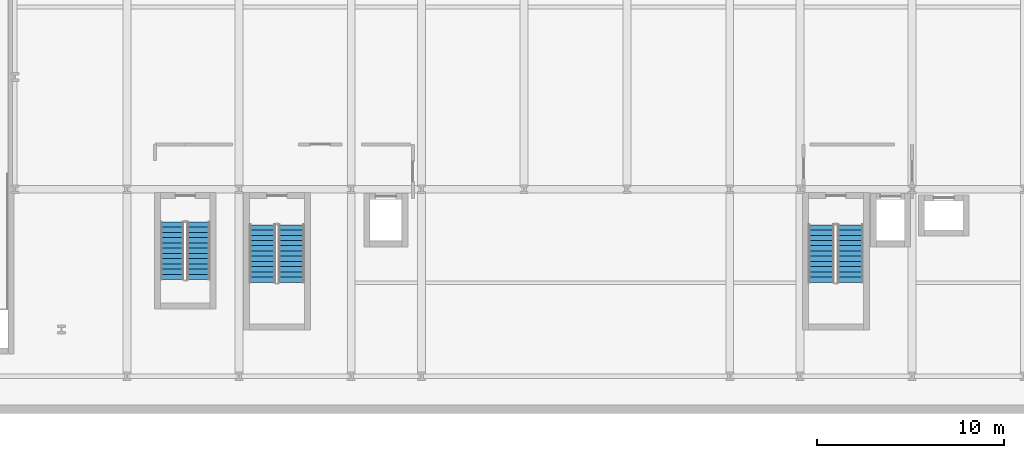
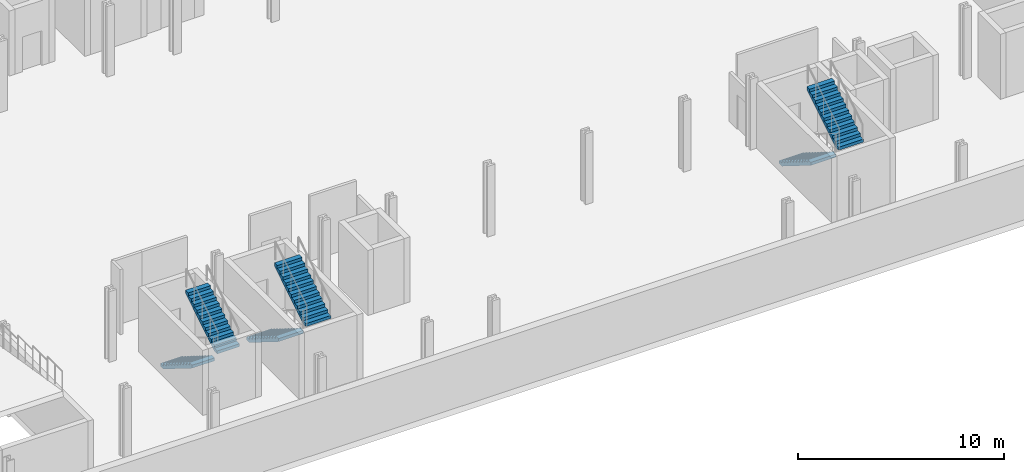
# One storey, part 9 of 12: 6 stair flights, 3 elements without a shape of their own.
"""IFC4 building model written with IfcOpenShell, lengths in metres."""

from ifc_helpers import new_model, si_unit, direction, frame, origin, place, context, subcontext, project, spatial, polyline, outline, extrude, material, layer, layer_set, type_object, element, aggregate, save


model = new_model("IFC4")

# Units and contexts
model_context = context("Model", 3, precision=1e-05, world=origin(), true_north=direction((0.0, 1.0)))
body_context = subcontext(model_context, "Body", "Model", "MODEL_VIEW")
ifc_project = project(units=[si_unit("LENGTHUNIT", "METRE"), si_unit("AREAUNIT", "SQUARE_METRE"), si_unit("VOLUMEUNIT", "CUBIC_METRE"), si_unit("PLANEANGLEUNIT", "RADIAN"), si_unit("MASSUNIT", "GRAM", prefix="KILO")], contexts=[model_context])

# Site, building, storey
site_placement = place(None, origin())
site = spatial("IfcSite", under=ifc_project, at=site_placement, CompositionType="ELEMENT")
building_placement = place(site_placement, origin())
building = spatial("IfcBuilding", under=site, at=building_placement, Name="Brevholm Reach", CompositionType="ELEMENT")
storey_placement = place(building_placement, frame((0.0, 0.0, -4.199951171875)))
storey = spatial("IfcBuildingStorey", under=building, at=storey_placement, Name="B01", CompositionType="ELEMENT", Elevation=-4.199951171875)

# Stair, stair flights
ifc_material_1 = material(Name="Precast Concrete C40/50", Category="concrete")
stair_type_1 = type_object("IfcStairType", Name="STR-ESC-1250", PredefinedType="DOUBLE_RETURN_STAIR", material=ifc_material_1)
stair_1_placement = place(storey_placement, origin())
stair_1 = element("IfcStair", 1, at=stair_1_placement, inside=storey, type_object=stair_type_1, Name="B01 ST-B1", PredefinedType="DOUBLE_RETURN_STAIR")
ifc_material_2 = material(Name="Precast Concrete C40/50", Category="concrete")
ifc_layer_1 = layer(ifc_material_2, 0.1650390625)
ifc_layer_set_1 = layer_set([ifc_layer_1], Name="Precast Concrete C40/50")
stair_flight_type_1 = type_object("IfcStairFlightType", Name="STF-PRC-165", PredefinedType="STRAIGHT", material=ifc_layer_set_1)
stair_flight_1_placement = place(storey_placement, frame((8.425048828125, 8.25, 0.0), z_axis=(0.0, 0.0, 1.0), x_axis=(0.0, -1.0, 0.0)))
stair_flight_1 = element("IfcStairFlight", 2, at=stair_flight_1_placement, type_object=stair_flight_type_1, Name="ST-B1 flight 1", NumberOfRisers=12, NumberOfTreads=11, PredefinedType="STRAIGHT", RiserHeight=0.175, TreadLength=0.28, context=body_context, shape_type="SweptSolid", body=[
    extrude(outline(polyline([(0.0, 0.0), (0.0, 0.175048828125), (0.280029296875, 0.175048828125), (0.280029296875, 0.35009765625), (0.56005859375, 0.35009765625), (0.56005859375, 0.52490234375), (0.840087890625, 0.52490234375), (0.840087890625, 0.699951171875), (1.1201171875, 0.699951171875), (1.1201171875, 0.875), (1.39990234375, 0.875), (1.39990234375, 1.050048828125), (1.679931640625, 1.050048828125), (1.679931640625, 1.22509765625), (1.9599609375, 1.22509765625), (1.9599609375, 1.39990234375), (2.239990234375, 1.39990234375), (2.239990234375, 1.574951171875), (2.52001953125, 1.574951171875), (2.52001953125, 1.75), (2.800048828125, 1.75), (2.800048828125, 1.925048828125), (3.080078125, 1.925048828125), (3.080078125, 2.10009765625), (3.080078125, 1.748291015625), (0.28271484375, 0.0), (0.0, 0.0)])), frame((0.0, 0.625, 0.0), z_axis=(0.0, -1.0, 0.0), x_axis=(1.0, 0.0, 0.0)), (0.0, 0.0, 1.0), 1.25),
])
stair_flight_2_placement = place(storey_placement, frame((9.824951171875, 5.169921875, 2.099853515625), z_axis=(0.0, 0.0, 1.0), x_axis=(0.0, 1.0, 0.0)))
stair_flight_2 = element("IfcStairFlight", 3, at=stair_flight_2_placement, type_object=stair_flight_type_1, Name="ST-B1 flight 2", NumberOfRisers=12, NumberOfTreads=11, PredefinedType="STRAIGHT", RiserHeight=0.175, TreadLength=0.28, context=body_context, shape_type="SweptSolid", body=[
    extrude(outline(polyline([(0.0, 0.0), (0.0, 0.175048828125), (0.280029296875, 0.175048828125), (0.280029296875, 0.35009765625), (0.56005859375, 0.35009765625), (0.56005859375, 0.52490234375), (0.840087890625, 0.52490234375), (0.840087890625, 0.699951171875), (1.1201171875, 0.699951171875), (1.1201171875, 0.875), (1.39990234375, 0.875), (1.39990234375, 1.050048828125), (1.679931640625, 1.050048828125), (1.679931640625, 1.22509765625), (1.9599609375, 1.22509765625), (1.9599609375, 1.39990234375), (2.239990234375, 1.39990234375), (2.239990234375, 1.574951171875), (2.52001953125, 1.574951171875), (2.52001953125, 1.75), (2.800048828125, 1.75), (2.800048828125, 1.925048828125), (3.080078125, 1.925048828125), (3.080078125, 2.10009765625), (3.080078125, 1.748291015625), (0.28271484375, 0.0), (0.0, 0.0)])), frame((0.0, 0.625, 0.0), z_axis=(0.0, -1.0, 0.0), x_axis=(1.0, 0.0, 0.0)), (0.0, 0.0, 1.0), 1.25),
])
aggregate(stair_1, [stair_flight_1, stair_flight_2])

ifc_material_3 = material(Name="Precast Concrete C40/50", Category="concrete")
stair_type_2 = type_object("IfcStairType", Name="STR-ESC-1400", PredefinedType="DOUBLE_RETURN_STAIR", material=ifc_material_3)
stair_2_placement = place(storey_placement, origin())
stair_2 = element("IfcStair", 4, at=stair_2_placement, inside=storey, type_object=stair_type_2, Name="B01 ST-1", PredefinedType="DOUBLE_RETURN_STAIR")
ifc_material_4 = material(Name="Precast Concrete C40/50", Category="concrete")
ifc_layer_2 = layer(ifc_material_4, 0.18505859375)
ifc_layer_set_2 = layer_set([ifc_layer_2], Name="Precast Concrete C40/50")
stair_flight_type_2 = type_object("IfcStairFlightType", Name="STF-PRC-185", PredefinedType="STRAIGHT", material=ifc_layer_set_2)
stair_flight_3_placement = place(storey_placement, frame((13.25, 8.10009765625, 0.0), z_axis=(0.0, 0.0, 1.0), x_axis=(0.0, -1.0, 0.0)))
stair_flight_3 = element("IfcStairFlight", 5, at=stair_flight_3_placement, type_object=stair_flight_type_2, Name="ST-1 flight 1", NumberOfRisers=12, NumberOfTreads=11, PredefinedType="STRAIGHT", RiserHeight=0.175, TreadLength=0.28, context=body_context, shape_type="SweptSolid", body=[
    extrude(outline(polyline([(0.0, 0.0), (0.0, 0.175048828125), (0.280029296875, 0.175048828125), (0.280029296875, 0.35009765625), (0.56005859375, 0.35009765625), (0.56005859375, 0.52490234375), (0.840087890625, 0.52490234375), (0.840087890625, 0.699951171875), (1.1201171875, 0.699951171875), (1.1201171875, 0.875), (1.39990234375, 0.875), (1.39990234375, 1.050048828125), (1.679931640625, 1.050048828125), (1.679931640625, 1.22509765625), (1.9599609375, 1.22509765625), (1.9599609375, 1.39990234375), (2.239990234375, 1.39990234375), (2.239990234375, 1.574951171875), (2.52001953125, 1.574951171875), (2.52001953125, 1.75), (2.800048828125, 1.75), (2.800048828125, 1.925048828125), (3.080078125, 1.925048828125), (3.080078125, 2.10009765625), (3.080078125, 1.748291015625), (0.28271484375, 0.0), (0.0, 0.0)])), frame((0.0, 0.699951171875, 0.0), z_axis=(0.0, -1.0, 0.0), x_axis=(1.0, 0.0, 0.0)), (0.0, 0.0, 1.0), 1.39990234375),
])
stair_flight_4_placement = place(storey_placement, frame((14.800048828125, 5.02001953125, 2.099853515625), z_axis=(0.0, 0.0, 1.0), x_axis=(0.0, 1.0, 0.0)))
stair_flight_4 = element("IfcStairFlight", 6, at=stair_flight_4_placement, type_object=stair_flight_type_2, Name="ST-1 flight 2", NumberOfRisers=12, NumberOfTreads=11, PredefinedType="STRAIGHT", RiserHeight=0.175, TreadLength=0.28, context=body_context, shape_type="SweptSolid", body=[
    extrude(outline(polyline([(0.0, 0.0), (0.0, 0.175048828125), (0.280029296875, 0.175048828125), (0.280029296875, 0.35009765625), (0.56005859375, 0.35009765625), (0.56005859375, 0.52490234375), (0.840087890625, 0.52490234375), (0.840087890625, 0.699951171875), (1.1201171875, 0.699951171875), (1.1201171875, 0.875), (1.39990234375, 0.875), (1.39990234375, 1.050048828125), (1.679931640625, 1.050048828125), (1.679931640625, 1.22509765625), (1.9599609375, 1.22509765625), (1.9599609375, 1.39990234375), (2.239990234375, 1.39990234375), (2.239990234375, 1.574951171875), (2.52001953125, 1.574951171875), (2.52001953125, 1.75), (2.800048828125, 1.75), (2.800048828125, 1.925048828125), (3.080078125, 1.925048828125), (3.080078125, 2.10009765625), (3.080078125, 1.748291015625), (0.28271484375, 0.0), (0.0, 0.0)])), frame((0.0, 0.699951171875, 0.0), z_axis=(0.0, -1.0, 0.0), x_axis=(1.0, 0.0, 0.0)), (0.0, 0.0, 1.0), 1.39990234375),
])
aggregate(stair_2, [stair_flight_3, stair_flight_4])

stair_3_placement = place(storey_placement, origin())
stair_3 = element("IfcStair", 7, at=stair_3_placement, inside=storey, type_object=stair_type_2, Name="B01 ST-2", PredefinedType="DOUBLE_RETURN_STAIR")
stair_flight_5_placement = place(storey_placement, frame((43.14990234375, 8.10009765625, 0.0), z_axis=(0.0, 0.0, 1.0), x_axis=(0.0, -1.0, 0.0)))
stair_flight_5 = element("IfcStairFlight", 8, at=stair_flight_5_placement, type_object=stair_flight_type_2, Name="ST-2 flight 1", NumberOfRisers=12, NumberOfTreads=11, PredefinedType="STRAIGHT", RiserHeight=0.175, TreadLength=0.28, context=body_context, shape_type="SweptSolid", body=[
    extrude(outline(polyline([(0.0, 0.0), (0.0, 0.175048828125), (0.280029296875, 0.175048828125), (0.280029296875, 0.35009765625), (0.56005859375, 0.35009765625), (0.56005859375, 0.52490234375), (0.840087890625, 0.52490234375), (0.840087890625, 0.699951171875), (1.1201171875, 0.699951171875), (1.1201171875, 0.875), (1.39990234375, 0.875), (1.39990234375, 1.050048828125), (1.679931640625, 1.050048828125), (1.679931640625, 1.22509765625), (1.9599609375, 1.22509765625), (1.9599609375, 1.39990234375), (2.239990234375, 1.39990234375), (2.239990234375, 1.574951171875), (2.52001953125, 1.574951171875), (2.52001953125, 1.75), (2.800048828125, 1.75), (2.800048828125, 1.925048828125), (3.080078125, 1.925048828125), (3.080078125, 2.10009765625), (3.080078125, 1.748291015625), (0.28271484375, 0.0), (0.0, 0.0)])), frame((0.0, 0.699951171875, 0.0), z_axis=(0.0, -1.0, 0.0), x_axis=(1.0, 0.0, 0.0)), (0.0, 0.0, 1.0), 1.39990234375),
])
stair_flight_6_placement = place(storey_placement, frame((44.699951171875, 5.02001953125, 2.099853515625), z_axis=(0.0, 0.0, 1.0), x_axis=(0.0, 1.0, 0.0)))
stair_flight_6 = element("IfcStairFlight", 9, at=stair_flight_6_placement, type_object=stair_flight_type_2, Name="ST-2 flight 2", NumberOfRisers=12, NumberOfTreads=11, PredefinedType="STRAIGHT", RiserHeight=0.175, TreadLength=0.28, context=body_context, shape_type="SweptSolid", body=[
    extrude(outline(polyline([(0.0, 0.0), (0.0, 0.175048828125), (0.280029296875, 0.175048828125), (0.280029296875, 0.35009765625), (0.56005859375, 0.35009765625), (0.56005859375, 0.52490234375), (0.840087890625, 0.52490234375), (0.840087890625, 0.699951171875), (1.1201171875, 0.699951171875), (1.1201171875, 0.875), (1.39990234375, 0.875), (1.39990234375, 1.050048828125), (1.679931640625, 1.050048828125), (1.679931640625, 1.22509765625), (1.9599609375, 1.22509765625), (1.9599609375, 1.39990234375), (2.239990234375, 1.39990234375), (2.239990234375, 1.574951171875), (2.52001953125, 1.574951171875), (2.52001953125, 1.75), (2.800048828125, 1.75), (2.800048828125, 1.925048828125), (3.080078125, 1.925048828125), (3.080078125, 2.10009765625), (3.080078125, 1.748291015625), (0.28271484375, 0.0), (0.0, 0.0)])), frame((0.0, 0.699951171875, 0.0), z_axis=(0.0, -1.0, 0.0), x_axis=(1.0, 0.0, 0.0)), (0.0, 0.0, 1.0), 1.39990234375),
])
aggregate(stair_3, [stair_flight_5, stair_flight_6])

save(model, "model.ifc")
